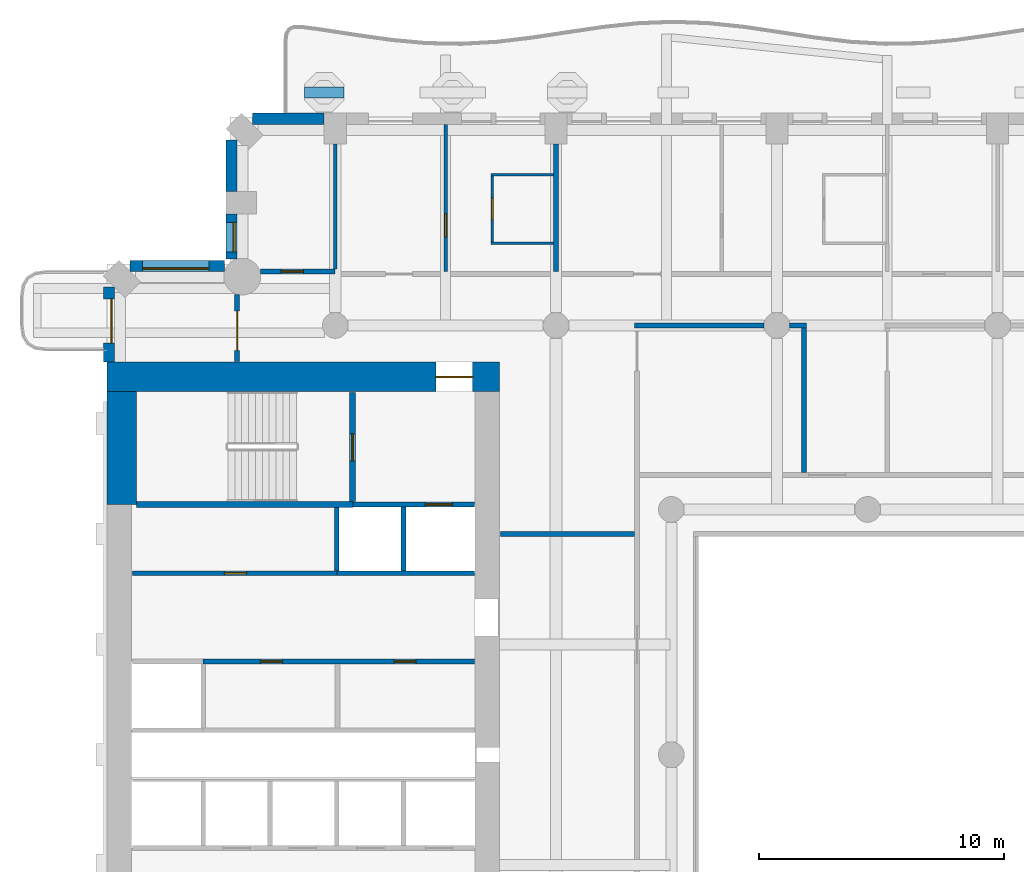
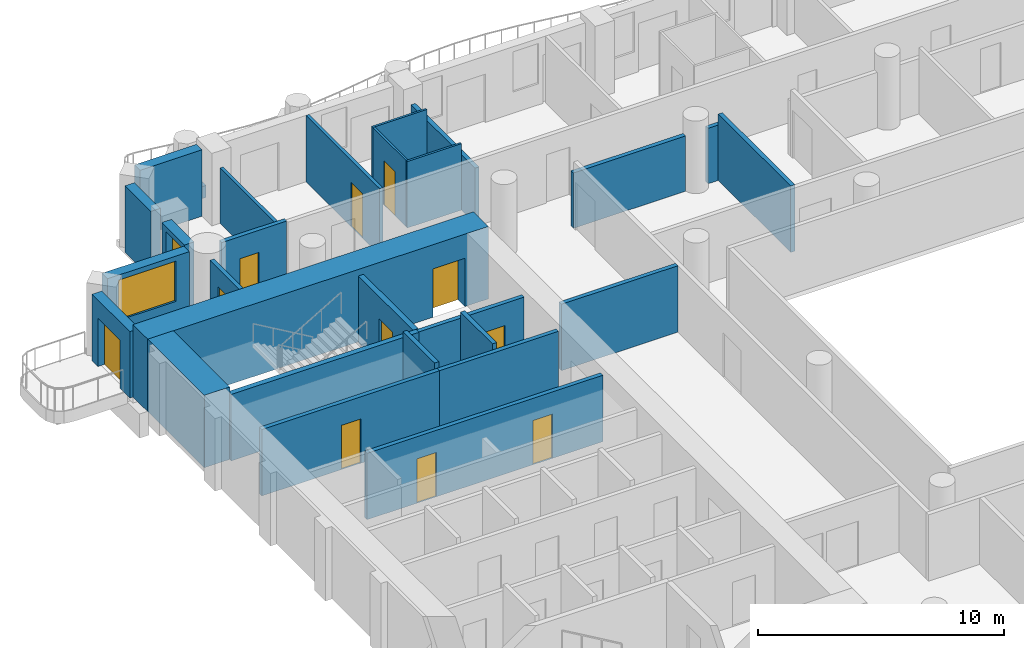
# One storey, part 7 of 19: 28 walls, 11 doors, 2 windows, 13 openings.
"""IFC4 building model written with IfcOpenShell, lengths in metres."""

from ifc_helpers import new_model, si_unit, direction, frame, frame_2d, origin, place, context, subcontext, project, spatial, rectangle, extrude, material, layer, layer_set, type_object, element, fill, save


model = new_model("IFC4")

# Units and contexts
model_context = context("Model", 3, precision=1e-05, world=origin(), true_north=direction((0.0, 1.0)))
body_context = subcontext(model_context, "Body", "Model", "MODEL_VIEW")
ifc_project = project(units=[si_unit("LENGTHUNIT", "METRE"), si_unit("AREAUNIT", "SQUARE_METRE"), si_unit("VOLUMEUNIT", "CUBIC_METRE"), si_unit("PLANEANGLEUNIT", "RADIAN"), si_unit("MASSUNIT", "GRAM", prefix="KILO")], contexts=[model_context])

# Site, building, storey
site_placement = place(None, origin())
site = spatial("IfcSite", under=ifc_project, at=site_placement, CompositionType="ELEMENT")
building_placement = place(site_placement, origin())
building = spatial("IfcBuilding", under=site, at=building_placement, Name="Cypress Arch Tower", CompositionType="ELEMENT")
storey_placement = place(building_placement, frame((0.0, 0.0, 141.89990234375)))
storey = spatial("IfcBuildingStorey", under=building, at=storey_placement, Name="L31", CompositionType="ELEMENT", Elevation=141.89990234375)

# Wall
ifc_material_1 = material(Name="Concrete C40/50, waterproofed", Category="concrete")
ifc_layer_1 = layer(ifc_material_1, 0.449951171875)
ifc_layer_set_1 = layer_set([ifc_layer_1], Name="Balcony planter wall PW450")
wall_type_1 = type_object("IfcWallType", Name="Balcony planter wall PW450", PredefinedType="SOLIDWALL", material=ifc_layer_set_1)
wall_1_placement = place(storey_placement, frame((-20.35009765625, 27.0, 0.0), z_axis=(0.0, 0.0, 1.0), x_axis=(-1.0, 0.0, 0.0)))
element("IfcWall", 1, at=wall_1_placement, inside=storey, type_object=wall_type_1, Name="Balcony planter wall L31-A08.6", PredefinedType="SOLIDWALL", context=body_context, shape_type="SweptSolid", body=[
    extrude(rectangle(XDim=1.599853515625, YDim=0.449951171875, at=frame_2d((0.7998046875, 0.0))), origin(), (0.0, 0.0, 1.0), 0.60009765625),
])

# Wall, opening, door
ifc_material_2 = material(Name="Brick (red buff blend)", Category="masonry")
ifc_layer_2 = layer(ifc_material_2, 0.449951171875)
ifc_layer_set_2 = layer_set([ifc_layer_2], Name="Brick pier and spandrel wall BW450")
wall_type_2 = type_object("IfcWallType", Name="Brick pier and spandrel wall BW450", PredefinedType="SOLIDWALL", material=ifc_layer_set_2)
wall_2_placement = place(storey_placement, frame((-29.925048828125, 19.063720703125, 0.0), z_axis=(0.0, 0.0, 1.0), x_axis=(0.0, -1.0, 0.0)))
wall_2 = element("IfcWall", 2, at=wall_2_placement, inside=storey, type_object=wall_type_2, Name="Brick wall L31 A00.0", PredefinedType="SOLIDWALL", context=body_context, shape_type="SweptSolid", body=[
    extrude(rectangle(XDim=3.063720703125, YDim=0.449951171875, at=frame_2d((1.53173828125, 0.0))), origin(), (0.0, 0.0, 1.0), 3.300048828125),
])
opening_1_placement = place(wall_2_placement, frame((0.481689453125, 0.0, 0.0)))
opening_1 = element("IfcOpeningElement", 3, at=opening_1_placement, cuts=wall_2, Name="Opening D-L31-A00.0.1", PredefinedType="OPENING", context=body_context, shape_type="SweptSolid", body=[
    extrude(rectangle(XDim=1.800048828125, YDim=2.39990234375, at=frame_2d((0.89990234375, 1.199951171875))), frame((0.0, 0.23486328125, 0.0), z_axis=(0.0, -1.0, 0.0), x_axis=(1.0, 0.0, 0.0)), (0.0, 0.0, 1.0), 0.469970703125),
])
ifc_material_3 = material(Name="Anodised aluminium, bronze finish, laminated low-emissivity double glazing, large-missile impact rated", Category="aluminium")
door_type_1 = type_object("IfcDoorType", Name="Balcony sliding door 1800x2400", OperationType="SLIDING_TO_LEFT", PredefinedType="DOOR", material=ifc_material_3)
door_1_placement = place(opening_1_placement, origin())
door_1 = element("IfcDoor", 4, at=door_1_placement, inside=storey, type_object=door_type_1, Name="Balcony door L31 A00.0.1", OperationType="SLIDING_TO_LEFT", OverallHeight=2.39990234375, OverallWidth=1.800048828125, PredefinedType="DOOR", context=body_context, shape_type="SweptSolid", body=[
    extrude(rectangle(XDim=1.800048828125, YDim=2.39990234375, at=frame_2d((0.89990234375, 1.199951171875))), frame((0.0, 0.1298828125, 0.0), z_axis=(0.0, -1.0, 0.0), x_axis=(1.0, 0.0, 0.0)), (0.0, 0.0, 1.0), 0.050048828125),
])
fill(opening_1, door_1)

# Walls
wall_3_placement = place(storey_placement, frame((-21.14990234375, 25.925048828125, 0.0), z_axis=(0.0, 0.0, 1.0), x_axis=(-1.0, 0.0, 0.0)))
element("IfcWall", 5, at=wall_3_placement, inside=storey, type_object=wall_type_2, Name="Brick wall L31 A08.4", PredefinedType="SOLIDWALL", context=body_context, shape_type="SweptSolid", body=[
    extrude(rectangle(XDim=2.913818359375, YDim=0.449951171875, at=frame_2d((1.45703125, 0.0))), origin(), (0.0, 0.0, 1.0), 3.300048828125),
])
wall_4_placement = place(storey_placement, frame((-24.925048828125, 25.063720703125, 0.0), z_axis=(0.0, 0.0, 1.0), x_axis=(0.0, -1.0, 0.0)))
element("IfcWall", 6, at=wall_4_placement, inside=storey, type_object=wall_type_2, Name="Brick wall L31 A09.0", PredefinedType="SOLIDWALL", context=body_context, shape_type="SweptSolid", body=[
    extrude(rectangle(XDim=2.11376953125, YDim=0.449951171875, at=frame_2d((1.056884765625, 0.0))), origin(), (0.0, 0.0, 1.0), 3.300048828125),
])

# Wall, opening, window
wall_5_placement = place(storey_placement, frame((-24.925048828125, 22.050048828125, 0.0), z_axis=(0.0, 0.0, 1.0), x_axis=(0.0, -1.0, 0.0)))
wall_5 = element("IfcWall", 7, at=wall_5_placement, inside=storey, type_object=wall_type_2, Name="Brick wall L31 A09.1", PredefinedType="SOLIDWALL", context=body_context, shape_type="SweptSolid", body=[
    extrude(rectangle(XDim=1.843017578125, YDim=0.449951171875, at=frame_2d((0.92138671875, 0.0))), origin(), (0.0, 0.0, 1.0), 3.300048828125),
])
opening_2_placement = place(wall_5_placement, frame((0.35009765625, 0.0, 1.050048828125)))
opening_2 = element("IfcOpeningElement", 8, at=opening_2_placement, cuts=wall_5, Name="Opening W120H", PredefinedType="OPENING", context=body_context, shape_type="SweptSolid", body=[
    extrude(rectangle(XDim=1.199951171875, YDim=2.0, at=frame_2d((0.60009765625, 1.0))), frame((0.0, 0.23486328125, 0.0), z_axis=(0.0, -1.0, 0.0), x_axis=(1.0, 0.0, 0.0)), (0.0, 0.0, 1.0), 0.469970703125),
])
ifc_material_4 = material(Name="Anodised aluminium, bronze finish, clear low-emissivity double glazing", Category="aluminium")
window_type_1 = type_object("IfcWindowType", Name="Window Hotel 1200x2000", PartitioningType="SINGLE_PANEL", PredefinedType="WINDOW", material=ifc_material_4)
window_1_placement = place(opening_2_placement, origin())
window_1 = element("IfcWindow", 9, at=window_1_placement, inside=storey, type_object=window_type_1, Name="Window L31 A09.1.1", OverallHeight=2.0, OverallWidth=1.199951171875, PartitioningType="SINGLE_PANEL", PredefinedType="WINDOW", context=body_context, shape_type="SweptSolid", body=[
    extrude(rectangle(XDim=1.199951171875, YDim=2.0, at=frame_2d((0.60009765625, 1.0))), frame((0.0, 0.135009765625, 0.0), z_axis=(0.0, -1.0, 0.0), x_axis=(1.0, 0.0, 0.0)), (0.0, 0.0, 1.0), 0.06005859375),
])
fill(opening_2, window_1)

wall_6_placement = place(storey_placement, frame((-25.20703125, 19.925048828125, 0.0), z_axis=(0.0, 0.0, 1.0), x_axis=(-1.0, 0.0, 0.0)))
wall_6 = element("IfcWall", 10, at=wall_6_placement, inside=storey, type_object=wall_type_2, Name="Brick wall L31 A10.0", PredefinedType="SOLIDWALL", context=body_context, shape_type="SweptSolid", body=[
    extrude(rectangle(XDim=3.856689453125, YDim=0.449951171875, at=frame_2d((1.92822265625, 0.0))), origin(), (0.0, 0.0, 1.0), 3.300048828125),
])
opening_3_placement = place(wall_6_placement, frame((0.64306640625, 0.0, 1.050048828125)))
opening_3 = element("IfcOpeningElement", 11, at=opening_3_placement, cuts=wall_6, Name="Opening W270H", PredefinedType="OPENING", context=body_context, shape_type="SweptSolid", body=[
    extrude(rectangle(XDim=2.699951171875, YDim=2.0, at=frame_2d((1.35009765625, 1.0))), frame((0.0, 0.23486328125, 0.0), z_axis=(0.0, -1.0, 0.0), x_axis=(1.0, 0.0, 0.0)), (0.0, 0.0, 1.0), 0.469970703125),
])
ifc_material_5 = material(Name="Anodised aluminium, bronze finish, clear low-emissivity double glazing", Category="aluminium")
window_type_2 = type_object("IfcWindowType", Name="Window Hotel 2700x2000", PartitioningType="SINGLE_PANEL", PredefinedType="WINDOW", material=ifc_material_5)
window_2_placement = place(opening_3_placement, origin())
window_2 = element("IfcWindow", 12, at=window_2_placement, inside=storey, type_object=window_type_2, Name="Window L31 A10.0.1", OverallHeight=2.0, OverallWidth=2.699951171875, PartitioningType="SINGLE_PANEL", PredefinedType="WINDOW", context=body_context, shape_type="SweptSolid", body=[
    extrude(rectangle(XDim=2.699951171875, YDim=2.0, at=frame_2d((1.35009765625, 1.0))), frame((0.0, 0.135009765625, 0.0), z_axis=(0.0, -1.0, 0.0), x_axis=(1.0, 0.0, 0.0)), (0.0, 0.0, 1.0), 0.06005859375),
])
fill(opening_3, window_2)

# Wall, opening, door
ifc_material_6 = material(Name="Concrete C80/95", Category="concrete")
ifc_layer_3 = layer(ifc_material_6, 1.199951171875)
ifc_layer_set_3 = layer_set([ifc_layer_3], Name="Core wall CW1200 C80/95")
wall_type_3 = type_object("IfcWallType", Name="Core wall CW1200 C80/95", PredefinedType="SHEAR", material=ifc_layer_set_3)
wall_7_placement = place(storey_placement, frame((-30.0, 15.39990234375, 0.0), z_axis=(0.0, 0.0, 1.0), x_axis=(1.0, 0.0, 0.0)))
wall_7 = element("IfcWall", 13, at=wall_7_placement, inside=storey, type_object=wall_type_3, Name="Core wall", PredefinedType="SHEAR", context=body_context, shape_type="SweptSolid", body=[
    extrude(rectangle(XDim=16.0, YDim=1.199951171875, at=frame_2d((8.0, 0.0))), origin(), (0.0, 0.0, 1.0), 3.60009765625),
])
opening_4_placement = place(wall_7_placement, frame((13.39990234375, 0.0, 0.0)))
opening_4 = element("IfcOpeningElement", 14, at=opening_4_placement, cuts=wall_7, Name="Opening D07", PredefinedType="OPENING", context=body_context, shape_type="SweptSolid", body=[
    extrude(rectangle(XDim=1.5, YDim=2.39990234375, at=frame_2d((0.75, 1.199951171875))), frame((0.0, 0.60986328125, 0.0), z_axis=(0.0, -1.0, 0.0), x_axis=(1.0, 0.0, 0.0)), (0.0, 0.0, 1.0), 1.219970703125),
])
ifc_material_7 = material(Name="Steel framed glazed door, fire resisting", Category="steel")
door_type_2 = type_object("IfcDoorType", Name="Lobby door D07 1500x2400", OperationType="DOUBLE_DOOR_SINGLE_SWING", PredefinedType="DOOR", material=ifc_material_7)
door_2_placement = place(opening_4_placement, origin())
door_2 = element("IfcDoor", 15, at=door_2_placement, inside=storey, type_object=door_type_2, Name="Lobby door", OperationType="DOUBLE_DOOR_SINGLE_SWING", OverallHeight=2.39990234375, OverallWidth=1.5, PredefinedType="DOOR", context=body_context, shape_type="SweptSolid", body=[
    extrude(rectangle(XDim=1.5, YDim=2.39990234375, at=frame_2d((0.75, 1.199951171875))), frame((0.0, 0.02490234375, 0.0), z_axis=(0.0, -1.0, 0.0), x_axis=(1.0, 0.0, 0.0)), (0.0, 0.0, 1.0), 0.050048828125),
])
fill(opening_4, door_2)

# Wall
wall_8_placement = place(storey_placement, frame((-29.39990234375, 10.199951171875, 0.0), z_axis=(0.0, 0.0, 1.0), x_axis=(0.0, 1.0, 0.0)))
element("IfcWall", 16, at=wall_8_placement, inside=storey, type_object=wall_type_3, Name="Core wall", PredefinedType="SHEAR", context=body_context, shape_type="SweptSolid", body=[
    extrude(rectangle(XDim=4.60009765625, YDim=1.199951171875, at=frame_2d((2.300048828125, 0.0))), origin(), (0.0, 0.0, 1.0), 3.60009765625),
])

# Wall, opening, door
ifc_material_8 = material(Name="Concrete blockwork, plastered, rated", Category="masonry")
ifc_layer_4 = layer(ifc_material_8, 0.199951171875)
ifc_layer_set_4 = layer_set([ifc_layer_4], Name="Corridor wall FW200")
wall_type_4 = type_object("IfcWallType", Name="Corridor wall FW200", PredefinedType="PARTITIONING", material=ifc_layer_set_4)
wall_9_placement = place(storey_placement, frame((-28.969970703125, 7.39990234375, 0.0), z_axis=(0.0, 0.0, 1.0), x_axis=(1.0, 0.0, 0.0)))
wall_9 = element("IfcWall", 17, at=wall_9_placement, inside=storey, type_object=wall_type_4, Name="Corridor wall", PredefinedType="PARTITIONING", context=body_context, shape_type="SweptSolid", body=[
    extrude(rectangle(XDim=8.349853515625, YDim=0.199951171875, at=frame_2d((4.1748046875, 0.0))), origin(), (0.0, 0.0, 1.0), 3.300048828125),
])
opening_5_placement = place(wall_9_placement, frame((3.75, 0.0, 0.0)))
opening_5 = element("IfcOpeningElement", 18, at=opening_5_placement, cuts=wall_9, Name="Opening D05", PredefinedType="OPENING", context=body_context, shape_type="SweptSolid", body=[
    extrude(rectangle(XDim=0.89990234375, YDim=2.199951171875, at=frame_2d((0.449951171875, 1.10009765625))), frame((0.0, 0.10986328125, 0.0), z_axis=(0.0, -1.0, 0.0), x_axis=(1.0, 0.0, 0.0)), (0.0, 0.0, 1.0), 0.219970703125),
])
ifc_material_9 = material(Name="Timber flush door", Category="wood")
door_type_3 = type_object("IfcDoorType", Name="Service door D05 900x2200", OperationType="SINGLE_SWING_LEFT", PredefinedType="DOOR", material=ifc_material_9)
door_3_placement = place(opening_5_placement, origin())
door_3 = element("IfcDoor", 19, at=door_3_placement, inside=storey, type_object=door_type_3, Name="Service door", OperationType="SINGLE_SWING_RIGHT", OverallHeight=2.199951171875, OverallWidth=0.89990234375, PredefinedType="DOOR", context=body_context, shape_type="SweptSolid", body=[
    extrude(rectangle(XDim=0.89990234375, YDim=2.199951171875, at=frame_2d((0.449951171875, 1.10009765625))), frame((0.0, 0.02490234375, 0.0), z_axis=(0.0, -1.0, 0.0), x_axis=(1.0, 0.0, 0.0)), (0.0, 0.0, 1.0), 0.050048828125),
])
fill(opening_5, door_3)

wall_10_placement = place(storey_placement, frame((-24.699951171875, 16.030029296875, 0.0), z_axis=(0.0, 0.0, 1.0), x_axis=(0.0, 1.0, 0.0)))
wall_10 = element("IfcWall", 20, at=wall_10_placement, inside=storey, type_object=wall_type_4, Name="Corridor wall", PredefinedType="PARTITIONING", context=body_context, shape_type="SweptSolid", body=[
    extrude(rectangle(XDim=2.72216796875, YDim=0.199951171875, at=frame_2d((1.361083984375, 0.0))), origin(), (0.0, 0.0, 1.0), 3.300048828125),
])
opening_6_placement = place(wall_10_placement, frame((0.449951171875, 0.0, 0.0)))
opening_6 = element("IfcOpeningElement", 21, at=opening_6_placement, cuts=wall_10, Name="Opening D10", PredefinedType="OPENING", context=body_context, shape_type="SweptSolid", body=[
    extrude(rectangle(XDim=1.60009765625, YDim=2.39990234375, at=frame_2d((0.800048828125, 1.199951171875))), frame((0.0, 0.10986328125, 0.0), z_axis=(0.0, -1.0, 0.0), x_axis=(1.0, 0.0, 0.0)), (0.0, 0.0, 1.0), 0.219970703125),
])
ifc_material_10 = material(Name="Black aluminium glazed door", Category="aluminium")
door_type_4 = type_object("IfcDoorType", Name="Amenity door D10 1600x2400", OperationType="DOUBLE_DOOR_SINGLE_SWING", PredefinedType="DOOR", material=ifc_material_10)
door_4_placement = place(opening_6_placement, origin())
door_4 = element("IfcDoor", 22, at=door_4_placement, inside=storey, type_object=door_type_4, Name="Amenity door", OperationType="DOUBLE_DOOR_SINGLE_SWING", OverallHeight=2.39990234375, OverallWidth=1.60009765625, PredefinedType="DOOR", context=body_context, shape_type="SweptSolid", body=[
    extrude(rectangle(XDim=1.60009765625, YDim=2.39990234375, at=frame_2d((0.800048828125, 1.199951171875))), frame((0.0, 0.02490234375, 0.0), z_axis=(0.0, -1.0, 0.0), x_axis=(1.0, 0.0, 0.0)), (0.0, 0.0, 1.0), 0.050048828125),
])
fill(opening_6, door_4)

wall_11_placement = place(storey_placement, frame((-23.752197265625, 19.699951171875, 0.0), z_axis=(0.0, 0.0, 1.0), x_axis=(1.0, 0.0, 0.0)))
wall_11 = element("IfcWall", 23, at=wall_11_placement, inside=storey, type_object=wall_type_4, Name="Corridor wall", PredefinedType="PARTITIONING", context=body_context, shape_type="SweptSolid", body=[
    extrude(rectangle(XDim=3.05224609375, YDim=0.199951171875, at=frame_2d((1.526123046875, 0.0))), origin(), (0.0, 0.0, 1.0), 3.300048828125),
])
opening_7_placement = place(wall_11_placement, frame((0.85009765625, 0.0, 0.0)))
opening_7 = element("IfcOpeningElement", 24, at=opening_7_placement, cuts=wall_11, Name="Opening D05", PredefinedType="OPENING", context=body_context, shape_type="SweptSolid", body=[
    extrude(rectangle(XDim=0.89990234375, YDim=2.199951171875, at=frame_2d((0.449951171875, 1.10009765625))), frame((0.0, 0.10986328125, 0.0), z_axis=(0.0, -1.0, 0.0), x_axis=(1.0, 0.0, 0.0)), (0.0, 0.0, 1.0), 0.219970703125),
])
door_5_placement = place(opening_7_placement, origin())
door_5 = element("IfcDoor", 25, at=door_5_placement, inside=storey, type_object=door_type_3, Name="Service door", OperationType="SINGLE_SWING_LEFT", OverallHeight=2.199951171875, OverallWidth=0.89990234375, PredefinedType="DOOR", context=body_context, shape_type="SweptSolid", body=[
    extrude(rectangle(XDim=0.89990234375, YDim=2.199951171875, at=frame_2d((0.449951171875, 1.10009765625))), frame((0.0, 0.02490234375, 0.0), z_axis=(0.0, -1.0, 0.0), x_axis=(1.0, 0.0, 0.0)), (0.0, 0.0, 1.0), 0.050048828125),
])
fill(opening_7, door_5)

# Walls
wall_12_placement = place(storey_placement, frame((-13.969970703125, 9.0, 0.0), z_axis=(0.0, 0.0, 1.0), x_axis=(1.0, 0.0, 0.0)))
element("IfcWall", 26, at=wall_12_placement, inside=storey, type_object=wall_type_4, Name="Corridor wall", PredefinedType="PARTITIONING", context=body_context, shape_type="SweptSolid", body=[
    extrude(rectangle(XDim=5.469970703125, YDim=0.199951171875, at=frame_2d((2.73486328125, 0.0))), origin(), (0.0, 0.0, 1.0), 3.300048828125),
])
wall_13_placement = place(storey_placement, frame((-8.5, 17.5, 0.0), z_axis=(0.0, 0.0, 1.0), x_axis=(1.0, 0.0, 0.0)))
element("IfcWall", 27, at=wall_13_placement, inside=storey, type_object=wall_type_4, Name="Corridor wall", PredefinedType="PARTITIONING", context=body_context, shape_type="SweptSolid", body=[
    extrude(rectangle(XDim=5.27490234375, YDim=0.199951171875, at=frame_2d((2.637451171875, 0.0))), origin(), (0.0, 0.0, 1.0), 2.75),
])
wall_14_placement = place(storey_placement, frame((-2.175048828125, 17.5, 0.0), z_axis=(0.0, 0.0, 1.0), x_axis=(1.0, 0.0, 0.0)))
element("IfcWall", 28, at=wall_14_placement, inside=storey, type_object=wall_type_4, Name="Corridor wall", PredefinedType="PARTITIONING", context=body_context, shape_type="SweptSolid", body=[
    extrude(rectangle(XDim=0.675048828125, YDim=0.199951171875, at=frame_2d((0.33740234375, 0.0))), origin(), (0.0, 0.0, 1.0), 2.75),
])
wall_15_placement = place(storey_placement, frame((-1.60009765625, 11.5, 0.0), z_axis=(0.0, 0.0, 1.0), x_axis=(0.0, 1.0, 0.0)))
element("IfcWall", 29, at=wall_15_placement, inside=storey, type_object=wall_type_4, Name="Corridor wall", PredefinedType="PARTITIONING", context=body_context, shape_type="SweptSolid", body=[
    extrude(rectangle(XDim=5.89990234375, YDim=0.199951171875, at=frame_2d((2.949951171875, 0.0))), origin(), (0.0, 0.0, 1.0), 3.300048828125),
])
ifc_material_11 = material(Name="Blockwork, plastered both sides", Category="masonry")
ifc_layer_5 = layer(ifc_material_11, 0.14990234375)
ifc_layer_set_5 = layer_set([ifc_layer_5], Name="Partition PW150")
wall_type_5 = type_object("IfcWallType", Name="Partition PW150", PredefinedType="PARTITIONING", material=ifc_layer_set_5)
wall_16_placement = place(storey_placement, frame((-20.699951171875, 19.800048828125, 0.0), z_axis=(0.0, 0.0, 1.0), x_axis=(0.0, 1.0, 0.0)))
element("IfcWall", 30, at=wall_16_placement, inside=storey, type_object=wall_type_5, Name="Partition", PredefinedType="PARTITIONING", context=body_context, shape_type="SweptSolid", body=[
    extrude(rectangle(XDim=5.099853515625, YDim=0.14990234375, at=frame_2d((2.5498046875, 0.0))), origin(), (0.0, 0.0, 1.0), 2.75),
])

# Wall, opening, door
wall_17_placement = place(storey_placement, frame((-16.199951171875, 19.699951171875, 0.0), z_axis=(0.0, 0.0, 1.0), x_axis=(0.0, 1.0, 0.0)))
wall_17 = element("IfcWall", 31, at=wall_17_placement, inside=storey, type_object=wall_type_5, Name="Partition", PredefinedType="PARTITIONING", context=body_context, shape_type="SweptSolid", body=[
    extrude(rectangle(XDim=6.0, YDim=0.14990234375, at=frame_2d((3.0, 0.0))), origin(), (0.0, 0.0, 1.0), 3.300048828125),
])
opening_8_placement = place(wall_17_placement, frame((1.39990234375, 0.0, 0.0)))
opening_8 = element("IfcOpeningElement", 32, at=opening_8_placement, cuts=wall_17, Name="Opening D12", PredefinedType="OPENING", context=body_context, shape_type="SweptSolid", body=[
    extrude(rectangle(XDim=0.949951171875, YDim=2.199951171875, at=frame_2d((0.47509765625, 1.10009765625))), frame((0.0, 0.0849609375, 0.0), z_axis=(0.0, -1.0, 0.0), x_axis=(1.0, 0.0, 0.0)), (0.0, 0.0, 1.0), 0.169921875),
])
ifc_material_12 = material(Name="Timber flush door", Category="wood")
door_type_5 = type_object("IfcDoorType", Name="Room door D12 950x2200", OperationType="SINGLE_SWING_LEFT", PredefinedType="DOOR", material=ifc_material_12)
door_6_placement = place(opening_8_placement, origin())
door_6 = element("IfcDoor", 33, at=door_6_placement, inside=storey, type_object=door_type_5, Name="Room door", OperationType="SINGLE_SWING_LEFT", OverallHeight=2.199951171875, OverallWidth=0.949951171875, PredefinedType="DOOR", context=body_context, shape_type="SweptSolid", body=[
    extrude(rectangle(XDim=0.949951171875, YDim=2.199951171875, at=frame_2d((0.47509765625, 1.10009765625))), frame((0.0, 0.02490234375, 0.0), z_axis=(0.0, -1.0, 0.0), x_axis=(1.0, 0.0, 0.0)), (0.0, 0.0, 1.0), 0.050048828125),
])
fill(opening_8, door_6)

# Wall
ifc_material_13 = material(Name="Dense blockwork, plastered both sides, acoustic and rated", Category="masonry")
ifc_layer_6 = layer(ifc_material_13, 0.199951171875)
ifc_layer_set_6 = layer_set([ifc_layer_6], Name="Party wall PW200")
wall_type_6 = type_object("IfcWallType", Name="Party wall PW200", PredefinedType="PARTITIONING", material=ifc_layer_set_6)
wall_18_placement = place(storey_placement, frame((-11.699951171875, 19.699951171875, 0.0), z_axis=(0.0, 0.0, 1.0), x_axis=(0.0, 1.0, 0.0)))
element("IfcWall", 34, at=wall_18_placement, inside=storey, type_object=wall_type_6, Name="Party wall", PredefinedType="PARTITIONING", context=body_context, shape_type="SweptSolid", body=[
    extrude(rectangle(XDim=5.199951171875, YDim=0.199951171875, at=frame_2d((2.60009765625, 0.0))), origin(), (0.0, 0.0, 1.0), 2.75),
])

# Wall, openings, doors
ifc_material_14 = material(Name="Reinforced blockwork, plastered, rated", Category="masonry")
ifc_layer_7 = layer(ifc_material_14, 0.199951171875)
ifc_layer_set_7 = layer_set([ifc_layer_7], Name="Plant and riser wall PL200")
wall_type_7 = type_object("IfcWallType", Name="Plant and riser wall PL200", PredefinedType="PARTITIONING", material=ifc_layer_set_7)
wall_19_placement = place(storey_placement, frame((-26.10009765625, 3.800048828125, 0.0), z_axis=(0.0, 0.0, 1.0), x_axis=(1.0, 0.0, 0.0)))
wall_19 = element("IfcWall", 35, at=wall_19_placement, inside=storey, type_object=wall_type_7, Name="Plant and riser wall", PredefinedType="PARTITIONING", context=body_context, shape_type="SweptSolid", body=[
    extrude(rectangle(XDim=11.070068359375, YDim=0.199951171875, at=frame_2d((5.53515625, 0.0))), origin(), (0.0, 0.0, 1.0), 3.300048828125),
])
opening_9_placement = place(wall_19_placement, frame((2.35009765625, 0.0, 0.0)))
opening_9 = element("IfcOpeningElement", 36, at=opening_9_placement, cuts=wall_19, Name="Opening D05", PredefinedType="OPENING", context=body_context, shape_type="SweptSolid", body=[
    extrude(rectangle(XDim=0.89990234375, YDim=2.199951171875, at=frame_2d((0.449951171875, 1.10009765625))), frame((0.0, 0.10986328125, 0.0), z_axis=(0.0, -1.0, 0.0), x_axis=(1.0, 0.0, 0.0)), (0.0, 0.0, 1.0), 0.219970703125),
])
opening_10_placement = place(wall_19_placement, frame((7.800048828125, 0.0, 0.0)))
opening_10 = element("IfcOpeningElement", 37, at=opening_10_placement, cuts=wall_19, Name="Opening D05", PredefinedType="OPENING", context=body_context, shape_type="SweptSolid", body=[
    extrude(rectangle(XDim=0.89990234375, YDim=2.199951171875, at=frame_2d((0.449951171875, 1.10009765625))), frame((0.0, 0.10986328125, 0.0), z_axis=(0.0, -1.0, 0.0), x_axis=(1.0, 0.0, 0.0)), (0.0, 0.0, 1.0), 0.219970703125),
])
door_7_placement = place(opening_9_placement, origin())
door_7 = element("IfcDoor", 38, at=door_7_placement, inside=storey, type_object=door_type_3, Name="Service door", OperationType="SINGLE_SWING_LEFT", OverallHeight=2.199951171875, OverallWidth=0.89990234375, PredefinedType="DOOR", context=body_context, shape_type="SweptSolid", body=[
    extrude(rectangle(XDim=0.89990234375, YDim=2.199951171875, at=frame_2d((0.449951171875, 1.10009765625))), frame((0.0, 0.02490234375, 0.0), z_axis=(0.0, -1.0, 0.0), x_axis=(1.0, 0.0, 0.0)), (0.0, 0.0, 1.0), 0.050048828125),
])
fill(opening_9, door_7)
door_8_placement = place(opening_10_placement, origin())
door_8 = element("IfcDoor", 39, at=door_8_placement, inside=storey, type_object=door_type_3, Name="Service door", OperationType="SINGLE_SWING_RIGHT", OverallHeight=2.199951171875, OverallWidth=0.89990234375, PredefinedType="DOOR", context=body_context, shape_type="SweptSolid", body=[
    extrude(rectangle(XDim=0.89990234375, YDim=2.199951171875, at=frame_2d((0.449951171875, 1.10009765625))), frame((0.0, 0.02490234375, 0.0), z_axis=(0.0, -1.0, 0.0), x_axis=(1.0, 0.0, 0.0)), (0.0, 0.0, 1.0), 0.050048828125),
])
fill(opening_10, door_8)

# Walls
ifc_material_15 = material(Name="Concrete C50/60", Category="concrete")
ifc_layer_8 = layer(ifc_material_15, 0.199951171875)
ifc_layer_set_8 = layer_set([ifc_layer_8], Name="Shaft wall SH200")
wall_type_8 = type_object("IfcWallType", Name="Shaft wall SH200", PredefinedType="SHEAR", material=ifc_layer_set_8)
wall_20_placement = place(storey_placement, frame((-20.639892578125, 7.5, 0.0), z_axis=(0.0, 0.0, 1.0), x_axis=(0.0, 1.0, 0.0)))
element("IfcWall", 40, at=wall_20_placement, inside=storey, type_object=wall_type_8, Name="Shaft wall", PredefinedType="SHEAR", context=body_context, shape_type="SweptSolid", body=[
    extrude(rectangle(XDim=2.574951171875, YDim=0.199951171875, at=frame_2d((1.28759765625, 0.0))), origin(), (0.0, 0.0, 1.0), 3.60009765625),
])
wall_21_placement = place(storey_placement, frame((-20.6201171875, 7.39990234375, 0.0), z_axis=(0.0, 0.0, 1.0), x_axis=(1.0, 0.0, 0.0)))
element("IfcWall", 41, at=wall_21_placement, inside=storey, type_object=wall_type_8, Name="Shaft wall", PredefinedType="SHEAR", context=body_context, shape_type="SweptSolid", body=[
    extrude(rectangle(XDim=5.590087890625, YDim=0.199951171875, at=frame_2d((2.794921875, 0.0))), origin(), (0.0, 0.0, 1.0), 3.300048828125),
])

# Wall, opening, door
wall_22_placement = place(storey_placement, frame((-19.97998046875, 10.199951171875, 0.0), z_axis=(0.0, 0.0, 1.0), x_axis=(1.0, 0.0, 0.0)))
wall_22 = element("IfcWall", 42, at=wall_22_placement, inside=storey, type_object=wall_type_8, Name="Shaft wall", PredefinedType="SHEAR", context=body_context, shape_type="SweptSolid", body=[
    extrude(rectangle(XDim=4.949951171875, YDim=0.199951171875, at=frame_2d((2.47509765625, 0.0))), origin(), (0.0, 0.0, 1.0), 3.300048828125),
])
opening_11_placement = place(wall_22_placement, frame((2.949951171875, 0.0, 0.0)))
opening_11 = element("IfcOpeningElement", 43, at=opening_11_placement, cuts=wall_22, Name="Opening LD-FL2", PredefinedType="OPENING", context=body_context, shape_type="SweptSolid", body=[
    extrude(rectangle(XDim=1.10009765625, YDim=2.199951171875, at=frame_2d((0.550048828125, 1.10009765625))), frame((0.0, 0.10986328125, 0.0), z_axis=(0.0, -1.0, 0.0), x_axis=(1.0, 0.0, 0.0)), (0.0, 0.0, 1.0), 0.219970703125),
])
ifc_material_16 = material(Name="Stainless steel centre-opening landing door, rated", Category="steel")
door_type_6 = type_object("IfcDoorType", Name="Lift landing door LD 1100x2200", OperationType="DOUBLE_DOOR_SLIDING", PredefinedType="DOOR", material=ifc_material_16)
door_9_placement = place(opening_11_placement, origin())
door_9 = element("IfcDoor", 44, at=door_9_placement, inside=storey, type_object=door_type_6, Name="Lift landing doors FL2", OperationType="DOUBLE_DOOR_SLIDING", OverallHeight=2.199951171875, OverallWidth=1.10009765625, PredefinedType="DOOR", context=body_context, shape_type="SweptSolid", body=[
    extrude(rectangle(XDim=1.10009765625, YDim=2.199951171875, at=frame_2d((0.550048828125, 1.10009765625))), frame((0.0, 0.02490234375, 0.0), z_axis=(0.0, -1.0, 0.0), x_axis=(1.0, 0.0, 0.0)), (0.0, 0.0, 1.0), 0.050048828125),
])
fill(opening_11, door_9)

# Walls
wall_23_placement = place(storey_placement, frame((-17.919921875, 7.5, 0.0), z_axis=(0.0, 0.0, 1.0), x_axis=(0.0, 1.0, 0.0)))
element("IfcWall", 45, at=wall_23_placement, inside=storey, type_object=wall_type_8, Name="Shaft wall", PredefinedType="SHEAR", context=body_context, shape_type="SweptSolid", body=[
    extrude(rectangle(XDim=2.60009765625, YDim=0.199951171875, at=frame_2d((1.300048828125, 0.0))), origin(), (0.0, 0.0, 1.0), 3.60009765625),
])
ifc_material_17 = material(Name="Concrete C50/60", Category="concrete")
ifc_layer_9 = layer(ifc_material_17, 0.25)
ifc_layer_set_9 = layer_set([ifc_layer_9], Name="Stair enclosure wall SW250")
wall_type_9 = type_object("IfcWallType", Name="Stair enclosure wall SW250", PredefinedType="SHEAR", material=ifc_layer_set_9)
wall_24_placement = place(storey_placement, frame((-28.81005859375, 10.199951171875, 0.0), z_axis=(0.0, 0.0, 1.0), x_axis=(1.0, 0.0, 0.0)))
element("IfcWall", 46, at=wall_24_placement, inside=storey, type_object=wall_type_9, Name="Stair enclosure wall", PredefinedType="SHEAR", context=body_context, shape_type="SweptSolid", body=[
    extrude(rectangle(XDim=8.830078125, YDim=0.25, at=frame_2d((4.4150390625, 0.0))), origin(), (0.0, 0.0, 1.0), 3.300048828125),
])

# Wall, opening, door
wall_25_placement = place(storey_placement, frame((-20.0, 10.324951171875, 0.0), z_axis=(0.0, 0.0, 1.0), x_axis=(0.0, 1.0, 0.0)))
wall_25 = element("IfcWall", 47, at=wall_25_placement, inside=storey, type_object=wall_type_9, Name="Stair enclosure wall", PredefinedType="SHEAR", context=body_context, shape_type="SweptSolid", body=[
    extrude(rectangle(XDim=4.445068359375, YDim=0.25, at=frame_2d((2.22265625, 0.0))), origin(), (0.0, 0.0, 1.0), 3.300048828125),
])
opening_12_placement = place(wall_25_placement, frame((1.64990234375, 0.0, 0.0)))
opening_12 = element("IfcOpeningElement", 48, at=opening_12_placement, cuts=wall_25, Name="Opening D06", PredefinedType="OPENING", context=body_context, shape_type="SweptSolid", body=[
    extrude(rectangle(XDim=1.10009765625, YDim=2.199951171875, at=frame_2d((0.550048828125, 1.10009765625))), frame((0.0, 0.135009765625, 0.0), z_axis=(0.0, -1.0, 0.0), x_axis=(1.0, 0.0, 0.0)), (0.0, 0.0, 1.0), 0.27001953125),
])
ifc_material_18 = material(Name="Steel door, fire resisting, panic bar", Category="steel")
door_type_7 = type_object("IfcDoorType", Name="Stair door D06 1100x2200", OperationType="SINGLE_SWING_LEFT", PredefinedType="DOOR", material=ifc_material_18)
door_10_placement = place(opening_12_placement, origin())
door_10 = element("IfcDoor", 49, at=door_10_placement, inside=storey, type_object=door_type_7, Name="Stair door", OperationType="SINGLE_SWING_LEFT", OverallHeight=2.199951171875, OverallWidth=1.10009765625, PredefinedType="DOOR", context=body_context, shape_type="SweptSolid", body=[
    extrude(rectangle(XDim=1.10009765625, YDim=2.199951171875, at=frame_2d((0.550048828125, 1.10009765625))), frame((0.0, 0.02490234375, 0.0), z_axis=(0.0, -1.0, 0.0), x_axis=(1.0, 0.0, 0.0)), (0.0, 0.0, 1.0), 0.050048828125),
])
fill(opening_12, door_10)

ifc_material_19 = material(Name="Moisture resistant board on steel studs, tiled", Category="steel")
ifc_layer_10 = layer(ifc_material_19, 0.10009765625)
ifc_layer_set_10 = layer_set([ifc_layer_10], Name="Wet wall PW100")
wall_type_10 = type_object("IfcWallType", Name="Wet wall PW100", PredefinedType="PARTITIONING", material=ifc_layer_set_10)
wall_26_placement = place(storey_placement, frame((-14.2958984375, 20.89990234375, 0.0), z_axis=(0.0, 0.0, 1.0), x_axis=(0.0, 1.0, 0.0)))
wall_26 = element("IfcWall", 50, at=wall_26_placement, inside=storey, type_object=wall_type_10, Name="Wet wall", PredefinedType="PARTITIONING", context=body_context, shape_type="SweptSolid", body=[
    extrude(rectangle(XDim=2.7001953125, YDim=0.10009765625, at=frame_2d((1.35009765625, 0.0))), origin(), (0.0, 0.0, 1.0), 3.300048828125),
])
opening_13_placement = place(wall_26_placement, frame((0.89990234375, 0.0, 0.0)))
opening_13 = element("IfcOpeningElement", 51, at=opening_13_placement, cuts=wall_26, Name="Opening D03", PredefinedType="OPENING", context=body_context, shape_type="SweptSolid", body=[
    extrude(rectangle(XDim=0.89990234375, YDim=2.199951171875, at=frame_2d((0.449951171875, 1.10009765625))), frame((0.0, 0.06005859375, 0.0), z_axis=(0.0, -1.0, 0.0), x_axis=(1.0, 0.0, 0.0)), (0.0, 0.0, 1.0), 0.1201171875),
])
ifc_material_20 = material(Name="Timber flush door, moisture resistant", Category="wood")
door_type_8 = type_object("IfcDoorType", Name="Bathroom door D03 900x2200", OperationType="SINGLE_SWING_LEFT", PredefinedType="DOOR", material=ifc_material_20)
door_11_placement = place(opening_13_placement, origin())
door_11 = element("IfcDoor", 52, at=door_11_placement, inside=storey, type_object=door_type_8, Name="Bathroom door", OperationType="SINGLE_SWING_LEFT", OverallHeight=2.199951171875, OverallWidth=0.89990234375, PredefinedType="DOOR", context=body_context, shape_type="SweptSolid", body=[
    extrude(rectangle(XDim=0.89990234375, YDim=2.199951171875, at=frame_2d((0.449951171875, 1.10009765625))), frame((0.0, 0.02490234375, 0.0), z_axis=(0.0, -1.0, 0.0), x_axis=(1.0, 0.0, 0.0)), (0.0, 0.0, 1.0), 0.050048828125),
])
fill(opening_13, door_11)

# Walls
for number, where, z_axis, x_axis, name in (
    (53, (-14.345947265625, 20.85009765625, 0.0), (0.0, 0.0, 1.0), (1.0, 0.0, 0.0), "Wet wall"),
    (54, (-14.345947265625, 23.64990234375, 0.0), (0.0, 0.0, 1.0), (1.0, 0.0, 0.0), "Wet wall"),
):
    element("IfcWall", number, at=place(storey_placement, frame(where, z_axis=z_axis, x_axis=x_axis)), inside=storey, type_object=wall_type_10, Name=name, PredefinedType="PARTITIONING", context=body_context, shape_type="SweptSolid", body=[
        extrude(rectangle(XDim=2.5458984375, YDim=0.10009765625, at=frame_2d((1.27294921875, 0.0))), origin(), (0.0, 0.0, 1.0), 3.300048828125),
    ])

save(model, "model.ifc")
